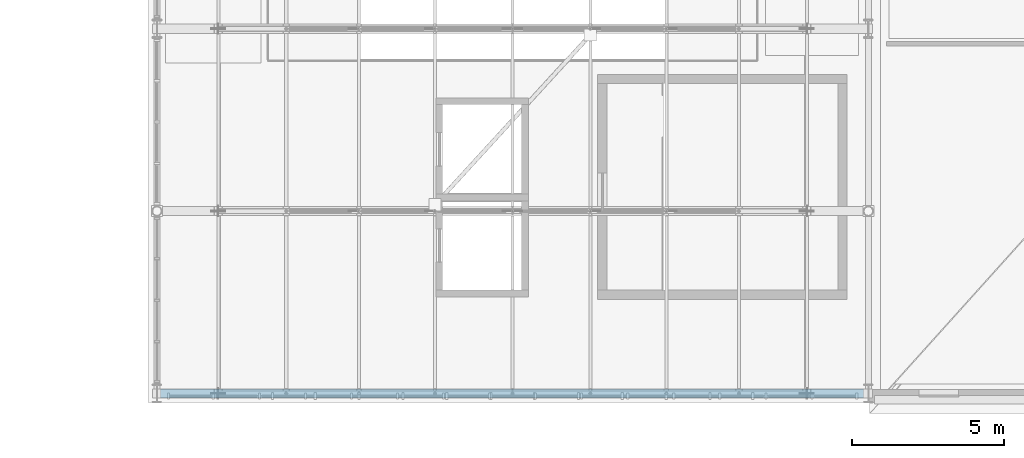
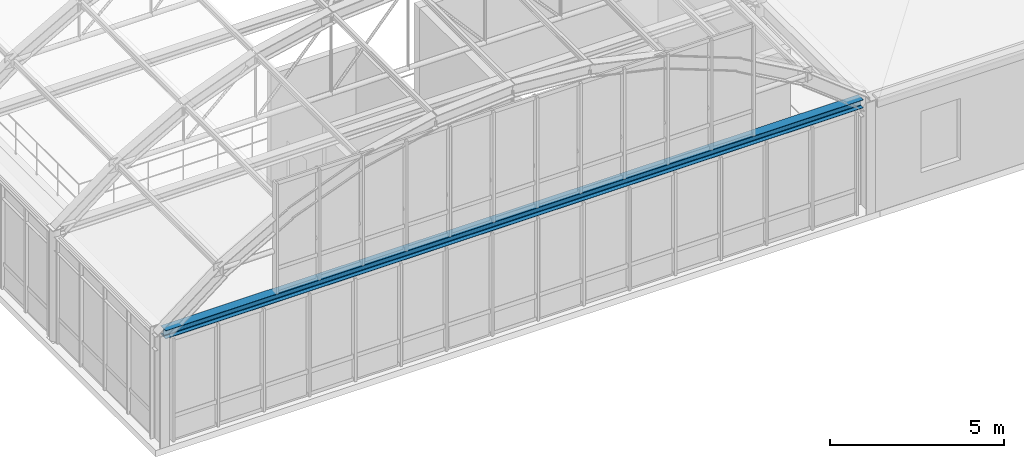
# One storey, part 31 of 148: 1 beam.
"""IFC4 building model written with IfcOpenShell, lengths in metres."""

from ifc_helpers import new_model, si_unit, direction, frame, origin, origin_2d, place, context, subcontext, project, spatial, i_section, extrude, material, material_profile, profile_set, type_object, element, save


model = new_model("IFC4")

# Units and contexts
model_context = context("Model", 3, precision=1e-05, world=origin(), true_north=direction((0.0, 1.0)))
body_context = subcontext(model_context, "Body", "Model", "MODEL_VIEW")
ifc_project = project(units=[si_unit("LENGTHUNIT", "METRE"), si_unit("AREAUNIT", "SQUARE_METRE"), si_unit("VOLUMEUNIT", "CUBIC_METRE"), si_unit("PLANEANGLEUNIT", "RADIAN"), si_unit("MASSUNIT", "GRAM", prefix="KILO"), si_unit("THERMODYNAMICTEMPERATUREUNIT", "KELVIN"), si_unit("POWERUNIT", "WATT")], contexts=[model_context])

# Site, building, storey
site_placement = place(None, origin())
site = spatial("IfcSite", under=ifc_project, at=site_placement, CompositionType="ELEMENT")
building_placement = place(site_placement, origin())
building = spatial("IfcBuilding", under=site, at=building_placement, Name="Solvatero Civic Police Headquarters", CompositionType="ELEMENT")
storey_placement = place(building_placement, frame((0.0, 0.0, 5.10009765625)))
storey = spatial("IfcBuildingStorey", under=building, at=storey_placement, Name="L01", CompositionType="ELEMENT", Elevation=5.10009765625)

# Beam
ifc_material = material(Name="Steel S355", Category="steel")
ifc_material_profile = material_profile(ifc_material, i_section(OverallWidth=0.300048828125, OverallDepth=0.2900390625, WebThickness=0.008544921875, FlangeThickness=0.013916015625, FilletRadius=0.027099609375, at=origin_2d()), Name="HEA 300")
ifc_profile_set = profile_set([ifc_material_profile], Name="Steel S355")
beam_type = type_object("IfcBeamType", Name="BM-ST-HEA300", PredefinedType="SPANDREL", material=ifc_profile_set)
beam_placement = place(storey_placement, frame((98.919921875, 4.800048828125, 3.81884765625), z_axis=(1.0, 0.0, 0.0), x_axis=(0.0, 1.0, 0.0)))
element("IfcBeam", 1, at=beam_placement, inside=storey, type_object=beam_type, Name="VLT1 Barrel Vault Springing Tie Beam F1", PredefinedType="SPANDREL", context=body_context, shape_type="SweptSolid", body=[
    extrude(i_section(OverallWidth=0.300048828125, OverallDepth=0.2900390625, WebThickness=0.008544921875, FlangeThickness=0.013916015625, FilletRadius=0.027099609375, at=origin_2d()), origin(), (0.0, 0.0, 1.0), 23.1201171875),
])

save(model, "model.ifc")
